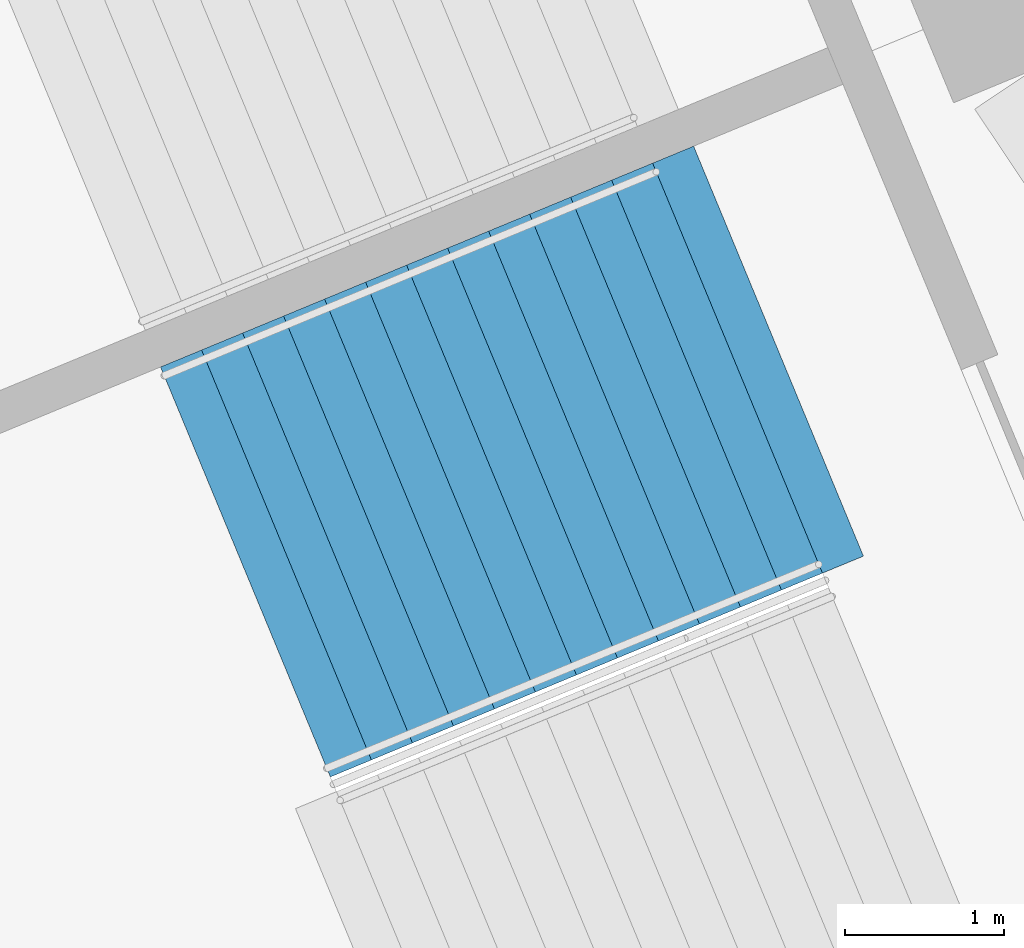
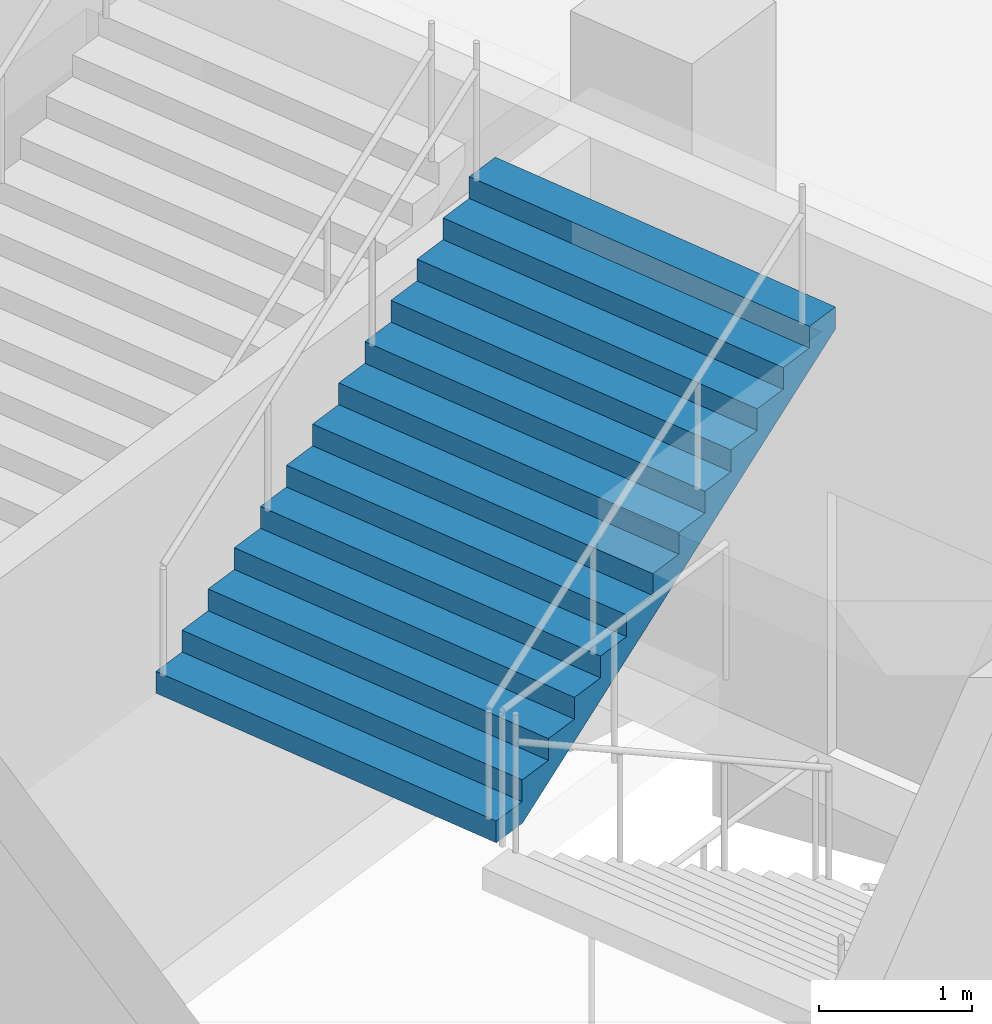
# One storey, part 138 of 249: 1 stair flight, 1 element without a shape of its own.
"""IFC4 building model written with IfcOpenShell, lengths in metres."""

from ifc_helpers import new_model, si_unit, direction, frame, origin, place, context, subcontext, project, spatial, faceted_brep, material, type_object, element, aggregate, save


model = new_model("IFC4")

# Units and contexts
model_context = context("Model", 3, precision=1e-05, world=origin(), true_north=direction((0.0, 1.0)))
body_context = subcontext(model_context, "Body", "Model", "MODEL_VIEW")
ifc_project = project(units=[si_unit("LENGTHUNIT", "METRE"), si_unit("AREAUNIT", "SQUARE_METRE"), si_unit("VOLUMEUNIT", "CUBIC_METRE"), si_unit("PLANEANGLEUNIT", "RADIAN"), si_unit("MASSUNIT", "GRAM", prefix="KILO")], contexts=[model_context])

# Site, building, storey
site_placement = place(None, origin())
site = spatial("IfcSite", under=ifc_project, at=site_placement, CompositionType="ELEMENT")
building_placement = place(site_placement, origin())
building = spatial("IfcBuilding", under=site, at=building_placement, Name="Ogive Plaza Stadium", CompositionType="ELEMENT")
storey_placement = place(building_placement, frame((0.0, 0.0, 13.5)))
storey = spatial("IfcBuildingStorey", under=building, at=storey_placement, Name="L03", CompositionType="ELEMENT", Elevation=13.5)

# Stair, stair flight
ifc_material_1 = material(Name="Concrete C40/50", Category="concrete")
stair_type = type_object("IfcStairType", Name="Exit stair", PredefinedType="STRAIGHT_RUN_STAIR", material=ifc_material_1)
stair_placement = place(storey_placement, origin())
stair = element("IfcStair", 1, at=stair_placement, inside=storey, type_object=stair_type, Name="Exit stair ST20B L03 to L04", PredefinedType="STRAIGHT_RUN_STAIR")
ifc_material_2 = material(Name="Concrete C40/50", Category="concrete")
stair_flight_type = type_object("IfcStairFlightType", Name="Exit stair flight", PredefinedType="STRAIGHT", material=ifc_material_2)
stair_flight_placement = place(storey_placement, frame((-75.64697265625, -71.4013671875, 2.25), z_axis=(0.0, 0.0, 1.0), x_axis=(0.923879532511, 0.382683432365, 0.0)))
stair_flight = element("IfcStairFlight", 2, at=stair_flight_placement, type_object=stair_flight_type, Name="ST20B flight 2", NumberOfRisers=13, NumberOfTreads=12, PredefinedType="STRAIGHT", RiserHeight=0.173076923, TreadLength=0.28, context=body_context, shape_type="Brep", body=[
    faceted_brep([(0.28515625, -1.39990234375, 0.0), (3.639892578125, -1.39990234375, 2.07373046875), (3.639892578125, -1.39990234375, 2.25), (3.360107421875, -1.39990234375, 2.25), (3.360107421875, -1.39990234375, 2.076904296875), (3.080078125, -1.39990234375, 2.076904296875), (3.080078125, -1.39990234375, 1.90380859375), (2.800048828125, -1.39990234375, 1.90380859375), (2.800048828125, -1.39990234375, 1.730712890625), (2.52001953125, -1.39990234375, 1.730712890625), (2.52001953125, -1.39990234375, 1.5576171875), (2.239990234375, -1.39990234375, 1.5576171875), (2.239990234375, -1.39990234375, 1.384521484375), (1.9599609375, -1.39990234375, 1.384521484375), (1.9599609375, -1.39990234375, 1.21142578125), (1.679931640625, -1.39990234375, 1.21142578125), (1.679931640625, -1.39990234375, 1.03857421875), (1.39990234375, -1.39990234375, 1.03857421875), (1.39990234375, -1.39990234375, 0.865478515625), (1.1201171875, -1.39990234375, 0.865478515625), (1.1201171875, -1.39990234375, 0.6923828125), (0.840087890625, -1.39990234375, 0.6923828125), (0.840087890625, -1.39990234375, 0.519287109375), (0.56005859375, -1.39990234375, 0.519287109375), (0.56005859375, -1.39990234375, 0.34619140625), (0.280029296875, -1.39990234375, 0.34619140625), (0.280029296875, -1.39990234375, 0.173095703125), (0.0, -1.39990234375, 0.173095703125), (0.0, -1.39990234375, 0.0), (0.0, 1.39990234375, 0.0), (0.0, 1.39990234375, 0.173095703125), (0.280029296875, 1.39990234375, 0.173095703125), (0.280029296875, 1.39990234375, 0.34619140625), (0.56005859375, 1.39990234375, 0.34619140625), (0.56005859375, 1.39990234375, 0.519287109375), (0.840087890625, 1.39990234375, 0.519287109375), (0.840087890625, 1.39990234375, 0.6923828125), (1.1201171875, 1.39990234375, 0.6923828125), (1.1201171875, 1.39990234375, 0.865478515625), (1.39990234375, 1.39990234375, 0.865478515625), (1.39990234375, 1.39990234375, 1.03857421875), (1.679931640625, 1.39990234375, 1.03857421875), (1.679931640625, 1.39990234375, 1.21142578125), (1.9599609375, 1.39990234375, 1.21142578125), (1.9599609375, 1.39990234375, 1.384521484375), (2.239990234375, 1.39990234375, 1.384521484375), (2.239990234375, 1.39990234375, 1.5576171875), (2.52001953125, 1.39990234375, 1.5576171875), (2.52001953125, 1.39990234375, 1.730712890625), (2.800048828125, 1.39990234375, 1.730712890625), (2.800048828125, 1.39990234375, 1.90380859375), (3.080078125, 1.39990234375, 1.90380859375), (3.080078125, 1.39990234375, 2.076904296875), (3.360107421875, 1.39990234375, 2.076904296875), (3.360107421875, 1.39990234375, 2.25), (3.639892578125, 1.39990234375, 2.25), (3.639892578125, 1.39990234375, 2.07373046875), (0.28515625, 1.39990234375, 0.0), (0.28515625, -1.0888671875, 0.0), (3.639892578125, -1.0888671875, 2.07373046875), (0.28515625, -0.77783203125, 0.0), (3.639892578125, -0.77783203125, 2.07373046875), (0.28515625, -0.466796875, 0.0), (3.639892578125, -0.466796875, 2.07373046875), (0.28515625, -0.155517578125, 0.0), (3.639892578125, -0.155517578125, 2.07373046875), (0.28515625, 0.155517578125, 0.0), (3.639892578125, 0.155517578125, 2.07373046875), (0.28515625, 0.466796875, 0.0), (3.639892578125, 0.466796875, 2.07373046875), (0.28515625, 0.77783203125, 0.0), (3.639892578125, 0.77783203125, 2.07373046875), (0.28515625, 1.0888671875, 0.0), (3.639892578125, 1.0888671875, 2.07373046875), (3.639892578125, -1.0888671875, 2.25), (3.639892578125, -0.77783203125, 2.25), (3.639892578125, -0.466796875, 2.25), (3.639892578125, -0.155517578125, 2.25), (3.639892578125, 0.155517578125, 2.25), (3.639892578125, 0.466796875, 2.25), (3.639892578125, 0.77783203125, 2.25), (3.639892578125, 1.0888671875, 2.25), (3.360107421875, -1.0888671875, 2.25), (3.360107421875, -0.77783203125, 2.25), (3.360107421875, -0.466796875, 2.25), (3.360107421875, -0.155517578125, 2.25), (3.360107421875, 0.155517578125, 2.25), (3.360107421875, 0.466796875, 2.25), (3.360107421875, 0.77783203125, 2.25), (3.360107421875, 1.0888671875, 2.25), (3.360107421875, -1.0888671875, 2.076904296875), (3.360107421875, -0.77783203125, 2.076904296875), (3.360107421875, -0.466796875, 2.076904296875), (3.360107421875, -0.155517578125, 2.076904296875), (3.360107421875, 0.155517578125, 2.076904296875), (3.360107421875, 0.466796875, 2.076904296875), (3.360107421875, 0.77783203125, 2.076904296875), (3.360107421875, 1.0888671875, 2.076904296875), (3.080078125, -1.0888671875, 2.076904296875), (3.080078125, -0.77783203125, 2.076904296875), (3.080078125, -0.466796875, 2.076904296875), (3.080078125, -0.155517578125, 2.076904296875), (3.080078125, 0.155517578125, 2.076904296875), (3.080078125, 0.466796875, 2.076904296875), (3.080078125, 0.77783203125, 2.076904296875), (3.080078125, 1.0888671875, 2.076904296875), (3.080078125, -1.0888671875, 1.90380859375), (3.080078125, -0.77783203125, 1.90380859375), (3.080078125, -0.466796875, 1.90380859375), (3.080078125, -0.155517578125, 1.90380859375), (3.080078125, 0.155517578125, 1.90380859375), (3.080078125, 0.466796875, 1.90380859375), (3.080078125, 0.77783203125, 1.90380859375), (3.080078125, 1.0888671875, 1.90380859375), (2.800048828125, -1.0888671875, 1.90380859375), (2.800048828125, -0.77783203125, 1.90380859375), (2.800048828125, -0.466796875, 1.90380859375), (2.800048828125, -0.155517578125, 1.90380859375), (2.800048828125, 0.155517578125, 1.90380859375), (2.800048828125, 0.466796875, 1.90380859375), (2.800048828125, 0.77783203125, 1.90380859375), (2.800048828125, 1.0888671875, 1.90380859375), (2.800048828125, -1.0888671875, 1.730712890625), (2.800048828125, -0.77783203125, 1.730712890625), (2.800048828125, -0.466796875, 1.730712890625), (2.800048828125, -0.155517578125, 1.730712890625), (2.800048828125, 0.155517578125, 1.730712890625), (2.800048828125, 0.466796875, 1.730712890625), (2.800048828125, 0.77783203125, 1.730712890625), (2.800048828125, 1.0888671875, 1.730712890625), (2.52001953125, -1.0888671875, 1.730712890625), (2.52001953125, -0.77783203125, 1.730712890625), (2.52001953125, -0.466796875, 1.730712890625), (2.52001953125, -0.155517578125, 1.730712890625), (2.52001953125, 0.155517578125, 1.730712890625), (2.52001953125, 0.466796875, 1.730712890625), (2.52001953125, 0.77783203125, 1.730712890625), (2.52001953125, 1.0888671875, 1.730712890625), (2.52001953125, -1.0888671875, 1.5576171875), (2.52001953125, -0.77783203125, 1.5576171875), (2.52001953125, -0.466796875, 1.5576171875), (2.52001953125, -0.155517578125, 1.5576171875), (2.52001953125, 0.155517578125, 1.5576171875), (2.52001953125, 0.466796875, 1.5576171875), (2.52001953125, 0.77783203125, 1.5576171875), (2.52001953125, 1.0888671875, 1.5576171875), (2.239990234375, -1.0888671875, 1.5576171875), (2.239990234375, -0.77783203125, 1.5576171875), (2.239990234375, -0.466796875, 1.5576171875), (2.239990234375, -0.155517578125, 1.5576171875), (2.239990234375, 0.155517578125, 1.5576171875), (2.239990234375, 0.466796875, 1.5576171875), (2.239990234375, 0.77783203125, 1.5576171875), (2.239990234375, 1.0888671875, 1.5576171875), (2.239990234375, -1.0888671875, 1.384521484375), (2.239990234375, -0.77783203125, 1.384521484375), (2.239990234375, -0.466796875, 1.384521484375), (2.239990234375, -0.155517578125, 1.384521484375), (2.239990234375, 0.155517578125, 1.384521484375), (2.239990234375, 0.466796875, 1.384521484375), (2.239990234375, 0.77783203125, 1.384521484375), (2.239990234375, 1.0888671875, 1.384521484375), (1.9599609375, -1.0888671875, 1.384521484375), (1.9599609375, -0.77783203125, 1.384521484375), (1.9599609375, -0.466796875, 1.384521484375), (1.9599609375, -0.155517578125, 1.384521484375), (1.9599609375, 0.155517578125, 1.384521484375), (1.9599609375, 0.466796875, 1.384521484375), (1.9599609375, 0.77783203125, 1.384521484375), (1.9599609375, 1.0888671875, 1.384521484375), (1.9599609375, -1.0888671875, 1.21142578125), (1.9599609375, -0.77783203125, 1.21142578125), (1.9599609375, -0.466796875, 1.21142578125), (1.9599609375, -0.155517578125, 1.21142578125), (1.9599609375, 0.155517578125, 1.21142578125), (1.9599609375, 0.466796875, 1.21142578125), (1.9599609375, 0.77783203125, 1.21142578125), (1.9599609375, 1.0888671875, 1.21142578125), (1.679931640625, -1.0888671875, 1.21142578125), (1.679931640625, -0.77783203125, 1.21142578125), (1.679931640625, -0.466796875, 1.21142578125), (1.679931640625, -0.155517578125, 1.21142578125), (1.679931640625, 0.155517578125, 1.21142578125), (1.679931640625, 0.466796875, 1.21142578125), (1.679931640625, 0.77783203125, 1.21142578125), (1.679931640625, 1.0888671875, 1.21142578125), (1.679931640625, -1.0888671875, 1.03857421875), (1.679931640625, -0.77783203125, 1.03857421875), (1.679931640625, -0.466796875, 1.03857421875), (1.679931640625, -0.155517578125, 1.03857421875), (1.679931640625, 0.155517578125, 1.03857421875), (1.679931640625, 0.466796875, 1.03857421875), (1.679931640625, 0.77783203125, 1.03857421875), (1.679931640625, 1.0888671875, 1.03857421875), (1.39990234375, -1.0888671875, 1.03857421875), (1.39990234375, -0.77783203125, 1.03857421875), (1.39990234375, -0.466796875, 1.03857421875), (1.39990234375, -0.155517578125, 1.03857421875), (1.39990234375, 0.155517578125, 1.03857421875), (1.39990234375, 0.466796875, 1.03857421875), (1.39990234375, 0.77783203125, 1.03857421875), (1.39990234375, 1.0888671875, 1.03857421875), (1.39990234375, -1.0888671875, 0.865478515625), (1.39990234375, -0.77783203125, 0.865478515625), (1.39990234375, -0.466796875, 0.865478515625), (1.39990234375, -0.155517578125, 0.865478515625), (1.39990234375, 0.155517578125, 0.865478515625), (1.39990234375, 0.466796875, 0.865478515625), (1.39990234375, 0.77783203125, 0.865478515625), (1.39990234375, 1.0888671875, 0.865478515625), (1.1201171875, -1.0888671875, 0.865478515625), (1.1201171875, -0.77783203125, 0.865478515625), (1.1201171875, -0.466796875, 0.865478515625), (1.1201171875, -0.155517578125, 0.865478515625), (1.1201171875, 0.155517578125, 0.865478515625), (1.1201171875, 0.466796875, 0.865478515625), (1.1201171875, 0.77783203125, 0.865478515625), (1.1201171875, 1.0888671875, 0.865478515625), (1.1201171875, -1.0888671875, 0.6923828125), (1.1201171875, -0.77783203125, 0.6923828125), (1.1201171875, -0.466796875, 0.6923828125), (1.1201171875, -0.155517578125, 0.6923828125), (1.1201171875, 0.155517578125, 0.6923828125), (1.1201171875, 0.466796875, 0.6923828125), (1.1201171875, 0.77783203125, 0.6923828125), (1.1201171875, 1.0888671875, 0.6923828125), (0.840087890625, -1.0888671875, 0.6923828125), (0.840087890625, -0.77783203125, 0.6923828125), (0.840087890625, -0.466796875, 0.6923828125), (0.840087890625, -0.155517578125, 0.6923828125), (0.840087890625, 0.155517578125, 0.6923828125), (0.840087890625, 0.466796875, 0.6923828125), (0.840087890625, 0.77783203125, 0.6923828125), (0.840087890625, 1.0888671875, 0.6923828125), (0.840087890625, -1.0888671875, 0.519287109375), (0.840087890625, -0.77783203125, 0.519287109375), (0.840087890625, -0.466796875, 0.519287109375), (0.840087890625, -0.155517578125, 0.519287109375), (0.840087890625, 0.155517578125, 0.519287109375), (0.840087890625, 0.466796875, 0.519287109375), (0.840087890625, 0.77783203125, 0.519287109375), (0.840087890625, 1.0888671875, 0.519287109375), (0.56005859375, -1.0888671875, 0.519287109375), (0.56005859375, -0.77783203125, 0.519287109375), (0.56005859375, -0.466796875, 0.519287109375), (0.56005859375, -0.155517578125, 0.519287109375), (0.56005859375, 0.155517578125, 0.519287109375), (0.56005859375, 0.466796875, 0.519287109375), (0.56005859375, 0.77783203125, 0.519287109375), (0.56005859375, 1.0888671875, 0.519287109375), (0.56005859375, -1.0888671875, 0.34619140625), (0.56005859375, -0.77783203125, 0.34619140625), (0.56005859375, -0.466796875, 0.34619140625), (0.56005859375, -0.155517578125, 0.34619140625), (0.56005859375, 0.155517578125, 0.34619140625), (0.56005859375, 0.466796875, 0.34619140625), (0.56005859375, 0.77783203125, 0.34619140625), (0.56005859375, 1.0888671875, 0.34619140625), (0.280029296875, -1.0888671875, 0.34619140625), (0.280029296875, -0.77783203125, 0.34619140625), (0.280029296875, -0.466796875, 0.34619140625), (0.280029296875, -0.155517578125, 0.34619140625), (0.280029296875, 0.155517578125, 0.34619140625), (0.280029296875, 0.466796875, 0.34619140625), (0.280029296875, 0.77783203125, 0.34619140625), (0.280029296875, 1.0888671875, 0.34619140625), (0.280029296875, -1.0888671875, 0.173095703125), (0.280029296875, -0.77783203125, 0.173095703125), (0.280029296875, -0.466796875, 0.173095703125), (0.280029296875, -0.155517578125, 0.173095703125), (0.280029296875, 0.155517578125, 0.173095703125), (0.280029296875, 0.466796875, 0.173095703125), (0.280029296875, 0.77783203125, 0.173095703125), (0.280029296875, 1.0888671875, 0.173095703125), (0.0, -1.0888671875, 0.173095703125), (0.0, -0.77783203125, 0.173095703125), (0.0, -0.466796875, 0.173095703125), (0.0, -0.155517578125, 0.173095703125), (0.0, 0.155517578125, 0.173095703125), (0.0, 0.466796875, 0.173095703125), (0.0, 0.77783203125, 0.173095703125), (0.0, 1.0888671875, 0.173095703125), (0.0, -1.0888671875, 0.0), (0.0, -0.77783203125, 0.0), (0.0, -0.466796875, 0.0), (0.0, -0.155517578125, 0.0), (0.0, 0.155517578125, 0.0), (0.0, 0.466796875, 0.0), (0.0, 0.77783203125, 0.0), (0.0, 1.0888671875, 0.0)], [[[0, 1, 2, 3, 4, 5, 6, 7, 8, 9, 10, 11, 12, 13, 14, 15, 16, 17, 18, 19, 20, 21, 22, 23, 24, 25, 26, 27, 28]], [[29, 30, 31, 32, 33, 34, 35, 36, 37, 38, 39, 40, 41, 42, 43, 44, 45, 46, 47, 48, 49, 50, 51, 52, 53, 54, 55, 56, 57]], [[0, 58, 59, 1]], [[58, 60, 61, 59]], [[60, 62, 63, 61]], [[62, 64, 65, 63]], [[64, 66, 67, 65]], [[66, 68, 69, 67]], [[68, 70, 71, 69]], [[70, 72, 73, 71]], [[72, 57, 56, 73]], [[1, 59, 74, 2]], [[59, 61, 75, 74]], [[61, 63, 76, 75]], [[63, 65, 77, 76]], [[65, 67, 78, 77]], [[67, 69, 79, 78]], [[69, 71, 80, 79]], [[71, 73, 81, 80]], [[73, 56, 55, 81]], [[2, 74, 82, 3]], [[74, 75, 83, 82]], [[75, 76, 84, 83]], [[76, 77, 85, 84]], [[77, 78, 86, 85]], [[78, 79, 87, 86]], [[79, 80, 88, 87]], [[80, 81, 89, 88]], [[81, 55, 54, 89]], [[3, 82, 90, 4]], [[82, 83, 91, 90]], [[83, 84, 92, 91]], [[84, 85, 93, 92]], [[85, 86, 94, 93]], [[86, 87, 95, 94]], [[87, 88, 96, 95]], [[88, 89, 97, 96]], [[89, 54, 53, 97]], [[4, 90, 98, 5]], [[90, 91, 99, 98]], [[91, 92, 100, 99]], [[92, 93, 101, 100]], [[93, 94, 102, 101]], [[94, 95, 103, 102]], [[95, 96, 104, 103]], [[96, 97, 105, 104]], [[97, 53, 52, 105]], [[5, 98, 106, 6]], [[98, 99, 107, 106]], [[99, 100, 108, 107]], [[100, 101, 109, 108]], [[101, 102, 110, 109]], [[102, 103, 111, 110]], [[103, 104, 112, 111]], [[104, 105, 113, 112]], [[105, 52, 51, 113]], [[6, 106, 114, 7]], [[106, 107, 115, 114]], [[107, 108, 116, 115]], [[108, 109, 117, 116]], [[109, 110, 118, 117]], [[110, 111, 119, 118]], [[111, 112, 120, 119]], [[112, 113, 121, 120]], [[113, 51, 50, 121]], [[7, 114, 122, 8]], [[114, 115, 123, 122]], [[115, 116, 124, 123]], [[116, 117, 125, 124]], [[117, 118, 126, 125]], [[118, 119, 127, 126]], [[119, 120, 128, 127]], [[120, 121, 129, 128]], [[121, 50, 49, 129]], [[8, 122, 130, 9]], [[122, 123, 131, 130]], [[123, 124, 132, 131]], [[124, 125, 133, 132]], [[125, 126, 134, 133]], [[126, 127, 135, 134]], [[127, 128, 136, 135]], [[128, 129, 137, 136]], [[129, 49, 48, 137]], [[9, 130, 138, 10]], [[130, 131, 139, 138]], [[131, 132, 140, 139]], [[132, 133, 141, 140]], [[133, 134, 142, 141]], [[134, 135, 143, 142]], [[135, 136, 144, 143]], [[136, 137, 145, 144]], [[137, 48, 47, 145]], [[10, 138, 146, 11]], [[138, 139, 147, 146]], [[139, 140, 148, 147]], [[140, 141, 149, 148]], [[141, 142, 150, 149]], [[142, 143, 151, 150]], [[143, 144, 152, 151]], [[144, 145, 153, 152]], [[145, 47, 46, 153]], [[11, 146, 154, 12]], [[146, 147, 155, 154]], [[147, 148, 156, 155]], [[148, 149, 157, 156]], [[149, 150, 158, 157]], [[150, 151, 159, 158]], [[151, 152, 160, 159]], [[152, 153, 161, 160]], [[153, 46, 45, 161]], [[12, 154, 162, 13]], [[154, 155, 163, 162]], [[155, 156, 164, 163]], [[156, 157, 165, 164]], [[157, 158, 166, 165]], [[158, 159, 167, 166]], [[159, 160, 168, 167]], [[160, 161, 169, 168]], [[161, 45, 44, 169]], [[13, 162, 170, 14]], [[162, 163, 171, 170]], [[163, 164, 172, 171]], [[164, 165, 173, 172]], [[165, 166, 174, 173]], [[166, 167, 175, 174]], [[167, 168, 176, 175]], [[168, 169, 177, 176]], [[169, 44, 43, 177]], [[14, 170, 178, 15]], [[170, 171, 179, 178]], [[171, 172, 180, 179]], [[172, 173, 181, 180]], [[173, 174, 182, 181]], [[174, 175, 183, 182]], [[175, 176, 184, 183]], [[176, 177, 185, 184]], [[177, 43, 42, 185]], [[15, 178, 186, 16]], [[178, 179, 187, 186]], [[179, 180, 188, 187]], [[180, 181, 189, 188]], [[181, 182, 190, 189]], [[182, 183, 191, 190]], [[183, 184, 192, 191]], [[184, 185, 193, 192]], [[185, 42, 41, 193]], [[16, 186, 194, 17]], [[186, 187, 195, 194]], [[187, 188, 196, 195]], [[188, 189, 197, 196]], [[189, 190, 198, 197]], [[190, 191, 199, 198]], [[191, 192, 200, 199]], [[192, 193, 201, 200]], [[193, 41, 40, 201]], [[17, 194, 202, 18]], [[194, 195, 203, 202]], [[195, 196, 204, 203]], [[196, 197, 205, 204]], [[197, 198, 206, 205]], [[198, 199, 207, 206]], [[199, 200, 208, 207]], [[200, 201, 209, 208]], [[201, 40, 39, 209]], [[18, 202, 210, 19]], [[202, 203, 211, 210]], [[203, 204, 212, 211]], [[204, 205, 213, 212]], [[205, 206, 214, 213]], [[206, 207, 215, 214]], [[207, 208, 216, 215]], [[208, 209, 217, 216]], [[209, 39, 38, 217]], [[19, 210, 218, 20]], [[210, 211, 219, 218]], [[211, 212, 220, 219]], [[212, 213, 221, 220]], [[213, 214, 222, 221]], [[214, 215, 223, 222]], [[215, 216, 224, 223]], [[216, 217, 225, 224]], [[217, 38, 37, 225]], [[20, 218, 226, 21]], [[218, 219, 227, 226]], [[219, 220, 228, 227]], [[220, 221, 229, 228]], [[221, 222, 230, 229]], [[222, 223, 231, 230]], [[223, 224, 232, 231]], [[224, 225, 233, 232]], [[225, 37, 36, 233]], [[21, 226, 234, 22]], [[226, 227, 235, 234]], [[227, 228, 236, 235]], [[228, 229, 237, 236]], [[229, 230, 238, 237]], [[230, 231, 239, 238]], [[231, 232, 240, 239]], [[232, 233, 241, 240]], [[233, 36, 35, 241]], [[22, 234, 242, 23]], [[234, 235, 243, 242]], [[235, 236, 244, 243]], [[236, 237, 245, 244]], [[237, 238, 246, 245]], [[238, 239, 247, 246]], [[239, 240, 248, 247]], [[240, 241, 249, 248]], [[241, 35, 34, 249]], [[23, 242, 250, 24]], [[242, 243, 251, 250]], [[243, 244, 252, 251]], [[244, 245, 253, 252]], [[245, 246, 254, 253]], [[246, 247, 255, 254]], [[247, 248, 256, 255]], [[248, 249, 257, 256]], [[249, 34, 33, 257]], [[24, 250, 258, 25]], [[250, 251, 259, 258]], [[251, 252, 260, 259]], [[252, 253, 261, 260]], [[253, 254, 262, 261]], [[254, 255, 263, 262]], [[255, 256, 264, 263]], [[256, 257, 265, 264]], [[257, 33, 32, 265]], [[25, 258, 266, 26]], [[258, 259, 267, 266]], [[259, 260, 268, 267]], [[260, 261, 269, 268]], [[261, 262, 270, 269]], [[262, 263, 271, 270]], [[263, 264, 272, 271]], [[264, 265, 273, 272]], [[265, 32, 31, 273]], [[26, 266, 274, 27]], [[266, 267, 275, 274]], [[267, 268, 276, 275]], [[268, 269, 277, 276]], [[269, 270, 278, 277]], [[270, 271, 279, 278]], [[271, 272, 280, 279]], [[272, 273, 281, 280]], [[273, 31, 30, 281]], [[27, 274, 282, 28]], [[274, 275, 283, 282]], [[275, 276, 284, 283]], [[276, 277, 285, 284]], [[277, 278, 286, 285]], [[278, 279, 287, 286]], [[279, 280, 288, 287]], [[280, 281, 289, 288]], [[281, 30, 29, 289]], [[28, 282, 58, 0]], [[282, 283, 60, 58]], [[283, 284, 62, 60]], [[284, 285, 64, 62]], [[285, 286, 66, 64]], [[286, 287, 68, 66]], [[287, 288, 70, 68]], [[288, 289, 72, 70]], [[289, 29, 57, 72]]]),
])
aggregate(stair, [stair_flight])

save(model, "model.ifc")
